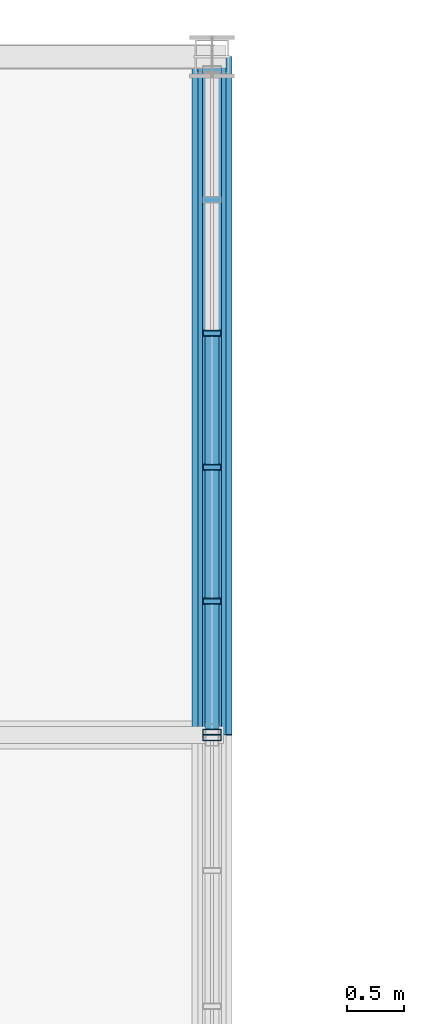
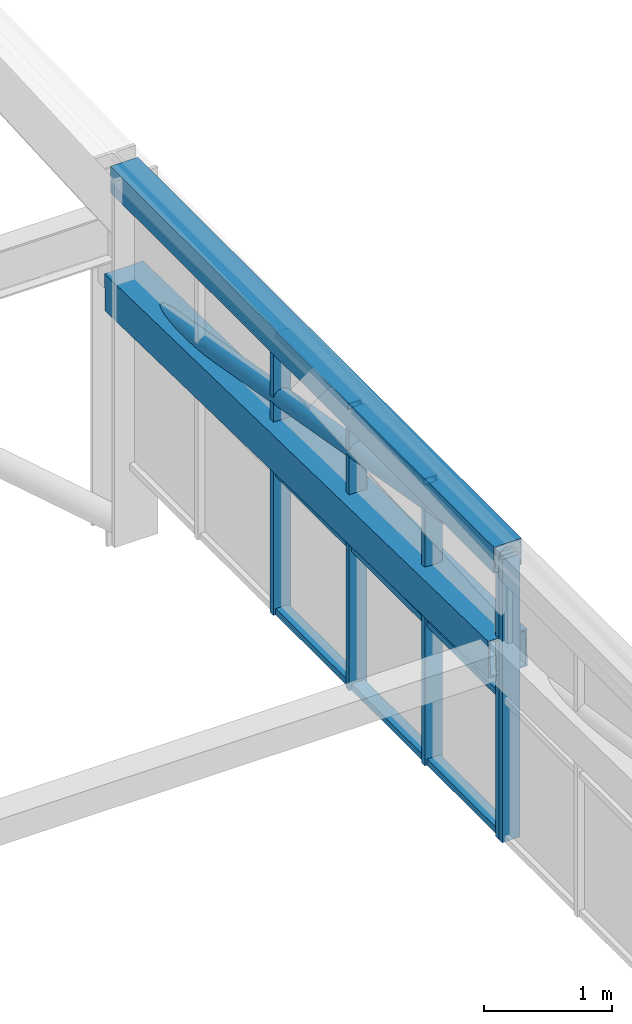
# One storey, part 242 of 324: 17 members, 2 elements without a shape of their own.
"""IFC4 building model written with IfcOpenShell, lengths in metres."""

from ifc_helpers import new_model, si_unit, direction, frame, origin, origin_2d, place, context, subcontext, project, spatial, hollow_rectangle, hollow_circle, extrude, material, layer, layer_set, material_profile, profile_set, type_object, element, aggregate, save


model = new_model("IFC4")

# Units and contexts
model_context = context("Model", 3, precision=1e-05, world=origin(), true_north=direction((0.0, 1.0)))
body_context = subcontext(model_context, "Body", "Model", "MODEL_VIEW")
ifc_project = project(units=[si_unit("LENGTHUNIT", "METRE"), si_unit("AREAUNIT", "SQUARE_METRE"), si_unit("VOLUMEUNIT", "CUBIC_METRE"), si_unit("PLANEANGLEUNIT", "RADIAN"), si_unit("MASSUNIT", "GRAM", prefix="KILO")], contexts=[model_context])

# Site, building, storey
site_placement = place(None, origin())
site = spatial("IfcSite", under=ifc_project, at=site_placement, CompositionType="ELEMENT")
building_placement = place(site_placement, origin())
building = spatial("IfcBuilding", under=site, at=building_placement, Name="Solvenia Promenade Tram Depot", CompositionType="ELEMENT")
storey_placement = place(building_placement, frame((0.0, 0.0, 4.5)))
storey = spatial("IfcBuildingStorey", under=building, at=storey_placement, Name="L01", CompositionType="ELEMENT", Elevation=4.5)

# Curtain wall, member
ifc_material_1 = material(Name="Anodized aluminium AW-6063 T6", Category="aluminium")
ifc_layer = layer(ifc_material_1, 0.159912109375, Name="Anodized aluminium AW-6063 T6", Category="aluminium")
ifc_layer_set = layer_set([ifc_layer], Name="Anodized aluminium AW-6063 T6")
curtain_wall_type = type_object("IfcCurtainWallType", Name="CW-Channel-1200", PredefinedType="NOTDEFINED", material=ifc_layer_set)
curtain_wall_1_placement = place(storey_placement, origin())
curtain_wall_1 = element("IfcCurtainWall", 1, at=curtain_wall_1_placement, inside=storey, type_object=curtain_wall_type, Name="Curtain Wall CW-V1E-09", PredefinedType="NOTDEFINED")
ifc_material_profile_1 = material_profile(ifc_material_1, hollow_rectangle(XDim=0.159912109375, YDim=0.052001953125, WallThickness=0.00390625, at=origin_2d()), Name="ALU-M1", Category="aluminium")
ifc_profile_set_1 = profile_set([ifc_material_profile_1], Name="Anodized aluminium AW-6063 T6")
member_type_1 = type_object("IfcMemberType", Name="CWM-Mullion-1", PredefinedType="MULLION", material=ifc_profile_set_1)
member_1_placement = place(storey_placement, frame((150.0, 119.97412109375, 0.699951171875), z_axis=(0.0, 0.0, 1.0), x_axis=(-1.0, 0.0, 0.0)))
member_1 = element("IfcMember", 2, at=member_1_placement, type_object=member_type_1, Name="CW-1 mullion 6", PredefinedType="MULLION", context=body_context, shape_type="SweptSolid", body=[
    extrude(hollow_rectangle(XDim=0.159912109375, YDim=0.052001953125, WallThickness=0.00390625, at=origin_2d()), origin(), (0.0, 0.0, 1.0), 2.699951171875),
])
aggregate(curtain_wall_1, [member_1])

# Curtain wall, members
curtain_wall_2_placement = place(storey_placement, origin())
curtain_wall_2 = element("IfcCurtainWall", 3, at=curtain_wall_2_placement, inside=storey, type_object=curtain_wall_type, Name="Curtain Wall CW-V1E-10", PredefinedType="NOTDEFINED")
member_2_placement = place(storey_placement, frame((150.0, 120.02587890625, 0.699951171875), z_axis=(0.0, 0.0, 1.0), x_axis=(-1.0, 0.0, 0.0)))
member_2 = element("IfcMember", 4, at=member_2_placement, type_object=member_type_1, Name="CW-1 mullion 1", PredefinedType="MULLION", context=body_context, shape_type="SweptSolid", body=[
    extrude(hollow_rectangle(XDim=0.159912109375, YDim=0.052001953125, WallThickness=0.00390625, at=origin_2d()), origin(), (0.0, 0.0, 1.0), 2.699951171875),
])
member_3_placement = place(storey_placement, frame((150.0, 121.18408203125, 0.699951171875), z_axis=(0.0, 0.0, 1.0), x_axis=(-1.0, 0.0, 0.0)))
member_3 = element("IfcMember", 5, at=member_3_placement, type_object=member_type_1, Name="CW-1 mullion 2", PredefinedType="MULLION", context=body_context, shape_type="SweptSolid", body=[
    extrude(hollow_rectangle(XDim=0.159912109375, YDim=0.052001953125, WallThickness=0.00390625, at=origin_2d()), origin(), (0.0, 0.0, 1.0), 2.699951171875),
])
member_4_placement = place(storey_placement, frame((150.0, 122.367919921875, 0.699951171875), z_axis=(0.0, 0.0, 1.0), x_axis=(-1.0, 0.0, 0.0)))
member_4 = element("IfcMember", 6, at=member_4_placement, type_object=member_type_1, Name="CW-1 mullion 3", PredefinedType="MULLION", context=body_context, shape_type="SweptSolid", body=[
    extrude(hollow_rectangle(XDim=0.159912109375, YDim=0.052001953125, WallThickness=0.00390625, at=origin_2d()), origin(), (0.0, 0.0, 1.0), 2.699951171875),
])
member_5_placement = place(storey_placement, frame((150.0, 123.552001953125, 0.699951171875), z_axis=(0.0, 0.0, 1.0), x_axis=(-1.0, 0.0, 0.0)))
member_5 = element("IfcMember", 7, at=member_5_placement, type_object=member_type_1, Name="CW-1 mullion 4", PredefinedType="MULLION", context=body_context, shape_type="SweptSolid", body=[
    extrude(hollow_rectangle(XDim=0.159912109375, YDim=0.052001953125, WallThickness=0.00390625, at=origin_2d()), origin(), (0.0, 0.0, 1.0), 2.699951171875),
])
ifc_material_profile_2 = material_profile(ifc_material_1, hollow_rectangle(XDim=0.1201171875, YDim=0.06005859375, WallThickness=0.00390625, at=origin_2d()), Name="ALU-T1", Category="aluminium")
ifc_profile_set_2 = profile_set([ifc_material_profile_2], Name="Anodized aluminium AW-6063 T6")
member_type_2 = type_object("IfcMemberType", Name="CWT-Transom-1", PredefinedType="USERDEFINED", material=ifc_profile_set_2)
member_6_placement = place(storey_placement, frame((150.0, 120.052001953125, 0.72998046875), z_axis=(0.0, 1.0, 0.0), x_axis=(-1.0, 0.0, 0.0)))
member_6 = element("IfcMember", 8, at=member_6_placement, type_object=member_type_2, Name="CW-1 transom 1.1", ObjectType="TRANSOM", PredefinedType="USERDEFINED", context=body_context, shape_type="SweptSolid", body=[
    extrude(hollow_rectangle(XDim=0.1201171875, YDim=0.06005859375, WallThickness=0.00390625, at=origin_2d()), origin(), (0.0, 0.0, 1.0), 1.10595703125),
])
member_7_placement = place(storey_placement, frame((150.0, 120.052001953125, 2.050048828125), z_axis=(0.0, 1.0, 0.0), x_axis=(-1.0, 0.0, 0.0)))
member_7 = element("IfcMember", 9, at=member_7_placement, type_object=member_type_2, Name="CW-1 transom 1.2", ObjectType="TRANSOM", PredefinedType="USERDEFINED", context=body_context, shape_type="SweptSolid", body=[
    extrude(hollow_rectangle(XDim=0.1201171875, YDim=0.06005859375, WallThickness=0.00390625, at=origin_2d()), origin(), (0.0, 0.0, 1.0), 1.10595703125),
])
member_8_placement = place(storey_placement, frame((150.0, 120.052001953125, 3.3701171875), z_axis=(0.0, 1.0, 0.0), x_axis=(-1.0, 0.0, 0.0)))
member_8 = element("IfcMember", 10, at=member_8_placement, type_object=member_type_2, Name="CW-1 transom 1.3", ObjectType="TRANSOM", PredefinedType="USERDEFINED", context=body_context, shape_type="SweptSolid", body=[
    extrude(hollow_rectangle(XDim=0.1201171875, YDim=0.06005859375, WallThickness=0.00390625, at=origin_2d()), origin(), (0.0, 0.0, 1.0), 1.10595703125),
])
member_9_placement = place(storey_placement, frame((150.0, 121.2099609375, 0.72998046875), z_axis=(0.0, 1.0, 0.0), x_axis=(-1.0, 0.0, 0.0)))
member_9 = element("IfcMember", 11, at=member_9_placement, type_object=member_type_2, Name="CW-1 transom 2.1", ObjectType="TRANSOM", PredefinedType="USERDEFINED", context=body_context, shape_type="SweptSolid", body=[
    extrude(hollow_rectangle(XDim=0.1201171875, YDim=0.06005859375, WallThickness=0.00390625, at=origin_2d()), origin(), (0.0, 0.0, 1.0), 1.132080078125),
])
member_10_placement = place(storey_placement, frame((150.0, 121.2099609375, 2.050048828125), z_axis=(0.0, 1.0, 0.0), x_axis=(-1.0, 0.0, 0.0)))
member_10 = element("IfcMember", 12, at=member_10_placement, type_object=member_type_2, Name="CW-1 transom 2.2", ObjectType="TRANSOM", PredefinedType="USERDEFINED", context=body_context, shape_type="SweptSolid", body=[
    extrude(hollow_rectangle(XDim=0.1201171875, YDim=0.06005859375, WallThickness=0.00390625, at=origin_2d()), origin(), (0.0, 0.0, 1.0), 1.132080078125),
])
member_11_placement = place(storey_placement, frame((150.0, 121.2099609375, 3.3701171875), z_axis=(0.0, 1.0, 0.0), x_axis=(-1.0, 0.0, 0.0)))
member_11 = element("IfcMember", 13, at=member_11_placement, type_object=member_type_2, Name="CW-1 transom 2.3", ObjectType="TRANSOM", PredefinedType="USERDEFINED", context=body_context, shape_type="SweptSolid", body=[
    extrude(hollow_rectangle(XDim=0.1201171875, YDim=0.06005859375, WallThickness=0.00390625, at=origin_2d()), origin(), (0.0, 0.0, 1.0), 1.132080078125),
])
member_12_placement = place(storey_placement, frame((150.0, 122.39404296875, 0.72998046875), z_axis=(0.0, 1.0, 0.0), x_axis=(-1.0, 0.0, 0.0)))
member_12 = element("IfcMember", 14, at=member_12_placement, type_object=member_type_2, Name="CW-1 transom 3.1", ObjectType="TRANSOM", PredefinedType="USERDEFINED", context=body_context, shape_type="SweptSolid", body=[
    extrude(hollow_rectangle(XDim=0.1201171875, YDim=0.06005859375, WallThickness=0.00390625, at=origin_2d()), origin(), (0.0, 0.0, 1.0), 1.1318359375),
])
member_13_placement = place(storey_placement, frame((150.0, 122.39404296875, 2.050048828125), z_axis=(0.0, 1.0, 0.0), x_axis=(-1.0, 0.0, 0.0)))
member_13 = element("IfcMember", 15, at=member_13_placement, type_object=member_type_2, Name="CW-1 transom 3.2", ObjectType="TRANSOM", PredefinedType="USERDEFINED", context=body_context, shape_type="SweptSolid", body=[
    extrude(hollow_rectangle(XDim=0.1201171875, YDim=0.06005859375, WallThickness=0.00390625, at=origin_2d()), origin(), (0.0, 0.0, 1.0), 1.1318359375),
])
member_14_placement = place(storey_placement, frame((150.0, 122.39404296875, 3.3701171875), z_axis=(0.0, 1.0, 0.0), x_axis=(-1.0, 0.0, 0.0)))
member_14 = element("IfcMember", 16, at=member_14_placement, type_object=member_type_2, Name="CW-1 transom 3.3", ObjectType="TRANSOM", PredefinedType="USERDEFINED", context=body_context, shape_type="SweptSolid", body=[
    extrude(hollow_rectangle(XDim=0.1201171875, YDim=0.06005859375, WallThickness=0.00390625, at=origin_2d()), origin(), (0.0, 0.0, 1.0), 1.1318359375),
])
aggregate(curtain_wall_2, [member_2, member_3, member_4, member_5, member_6, member_7, member_8, member_9, member_10, member_11, member_12, member_13, member_14])

# Members
ifc_material_2 = material(Name="Structural steel ASTM A500 Gr. C", Category="steel")
ifc_material_profile_3 = material_profile(ifc_material_2, hollow_rectangle(XDim=0.25, YDim=0.25, WallThickness=0.010009765625, at=origin_2d()), Name="HSS250x250x10", Category="steel")
ifc_profile_set_3 = profile_set([ifc_material_profile_3], Name="Structural steel ASTM A500 Gr. C")
member_type_3 = type_object("IfcMemberType", Name="Chord-HSS250x250x10", PredefinedType="CHORD", material=ifc_profile_set_3)
member_15_placement = place(storey_placement, frame((150.0, 120.0, 3.3798828125), z_axis=(0.0, 1.0, 0.0), x_axis=(-1.0, 0.0, 0.0)))
element("IfcMember", 17, at=member_15_placement, inside=storey, type_object=member_type_3, Name="Arched Truss T21 Upper Chord S10", PredefinedType="CHORD", context=body_context, shape_type="SweptSolid", body=[
    extrude(hollow_rectangle(XDim=0.25, YDim=0.25, WallThickness=0.010009765625, at=origin_2d()), origin(), (0.0, 0.0, 1.0), 6.0),
])
ifc_material_profile_4 = material_profile(ifc_material_2, hollow_rectangle(XDim=0.35009765625, YDim=0.35009765625, WallThickness=0.01611328125, at=origin_2d()), Name="HSS350x350x16", Category="steel")
ifc_profile_set_4 = profile_set([ifc_material_profile_4], Name="Structural steel ASTM A500 Gr. C")
member_type_4 = type_object("IfcMemberType", Name="Chord-HSS350x350x16", PredefinedType="CHORD", material=ifc_profile_set_4)
member_16_placement = place(storey_placement, frame((150.0, 120.0, 2.446044921875), z_axis=(0.0, 0.999779654873, -0.020991467363), x_axis=(-1.0, 0.0, 0.0)))
element("IfcMember", 18, at=member_16_placement, inside=storey, type_object=member_type_4, Name="Arched Truss T21 Bottom Chord S10", PredefinedType="CHORD", context=body_context, shape_type="SweptSolid", body=[
    extrude(hollow_rectangle(XDim=0.35009765625, YDim=0.35009765625, WallThickness=0.01611328125, at=origin_2d()), origin(), (0.0, 0.0, 1.0), 6.001220703125),
])
ifc_material_profile_5 = material_profile(ifc_material_2, hollow_circle(Radius=0.084228515625, WallThickness=0.008056640625, at=origin_2d()), Name="CHS168.3x8", Category="steel")
ifc_profile_set_5 = profile_set([ifc_material_profile_5], Name="Structural steel ASTM A500 Gr. C")
member_type_5 = type_object("IfcMemberType", Name="WebDiag-CHS168x8", PredefinedType="BRACE", material=ifc_profile_set_5)
member_17_placement = place(storey_placement, frame((150.0, 126.0, 2.320068359375), z_axis=(0.0, -0.984755712458, 0.173943056143), x_axis=(1.0, 0.0, 0.0)))
element("IfcMember", 19, at=member_17_placement, inside=storey, type_object=member_type_5, Name="Arched Truss T21 Web Diagonal S10", PredefinedType="BRACE", context=body_context, shape_type="SweptSolid", body=[
    extrude(hollow_circle(Radius=0.084228515625, WallThickness=0.008056640625, at=origin_2d()), origin(), (0.0, 0.0, 1.0), 6.0927734375),
])

save(model, "model.ifc")
